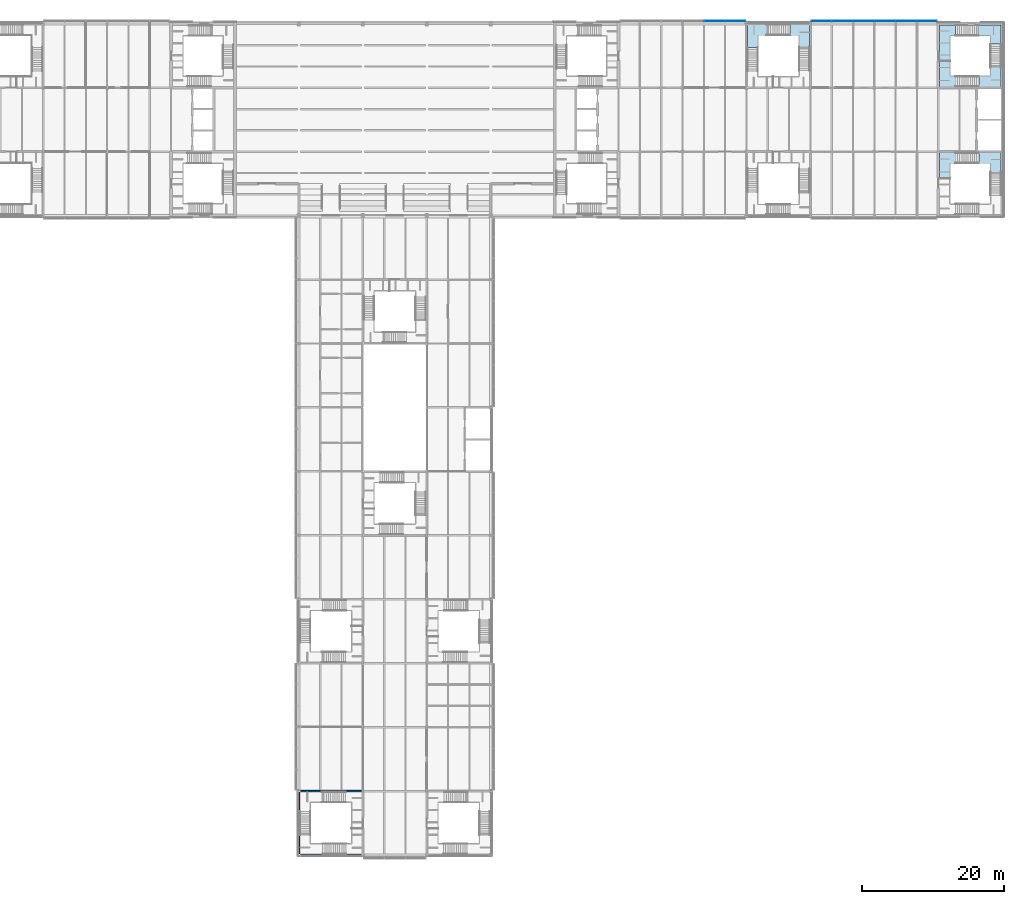
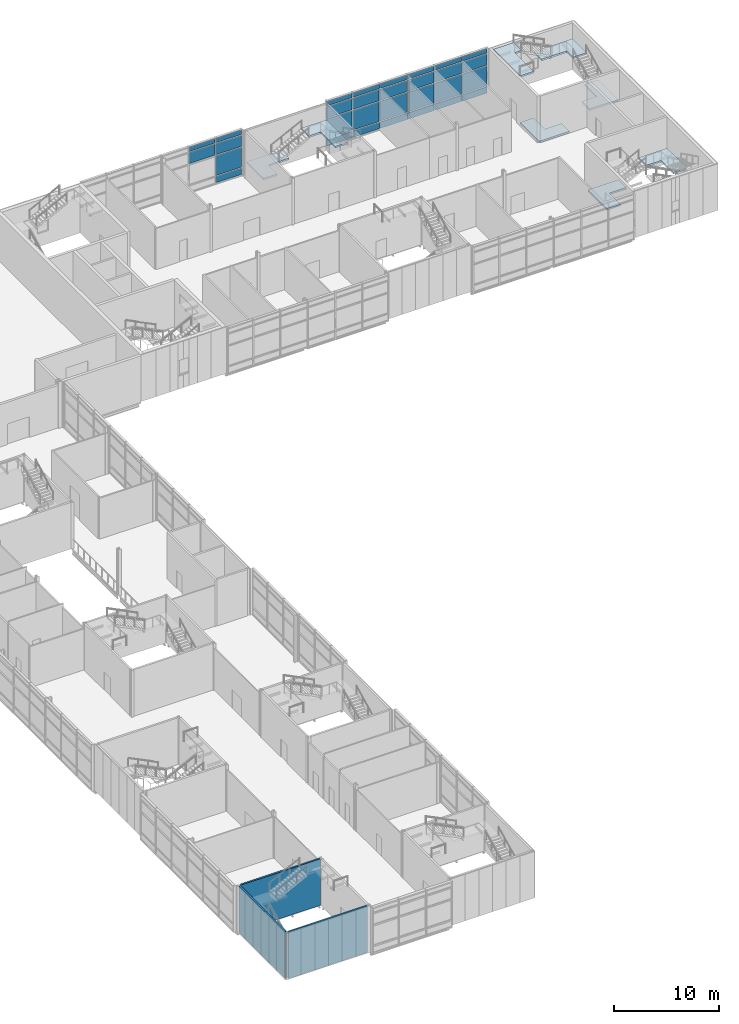
# One storey, part 32 of 52: 30 plates, 8 slabs, 3 walls, 5 elements without a shape of their own.
"""IFC4 building model written with IfcOpenShell, lengths in metres."""

from ifc_helpers import new_model, si_unit, direction, frame, frame_2d, origin, origin_2d, place, context, subcontext, project, spatial, polyline, rectangle, outline, extrude, material, layer, layer_set, type_object, element, aggregate, save


model = new_model("IFC4")

# Units and contexts
model_context = context("Model", 3, precision=1e-05, world=origin(), true_north=direction((0.0, 1.0)))
body_context = subcontext(model_context, "Body", "Model", "MODEL_VIEW")
ifc_project = project(units=[si_unit("LENGTHUNIT", "METRE"), si_unit("AREAUNIT", "SQUARE_METRE"), si_unit("VOLUMEUNIT", "CUBIC_METRE"), si_unit("PLANEANGLEUNIT", "RADIAN"), si_unit("MASSUNIT", "GRAM", prefix="KILO")], contexts=[model_context])

# Site, building, storey
site_placement = place(None, origin())
site = spatial("IfcSite", under=ifc_project, at=site_placement, CompositionType="ELEMENT")
building_placement = place(site_placement, origin())
building = spatial("IfcBuilding", under=site, at=building_placement, Name="Azimuth Sports and Learning Centre", CompositionType="ELEMENT")
storey_placement = place(building_placement, frame((0.0, 0.0, 16.199951171875)))
storey = spatial("IfcBuildingStorey", under=building, at=storey_placement, Name="L03", CompositionType="ELEMENT", Elevation=16.199951171875)

# Stair, slabs
ifc_material_1 = material(Name="Concrete C32/40", Category="concrete")
stair_type_1 = type_object("IfcStairType", Name="Square-well stair end core 5400 storey", PredefinedType="THREE_QUARTER_TURN_STAIR", material=ifc_material_1)
stair_1_placement = place(storey_placement, origin())
stair_1 = element("IfcStair", 1, at=stair_1_placement, inside=storey, type_object=stair_type_1, Name="Stair EW1 L03-L04", PredefinedType="THREE_QUARTER_TURN_STAIR")
ifc_material_2 = material(Name="Concrete C32/40", Category="concrete")
ifc_layer_1 = layer(ifc_material_2, 0.199951171875)
ifc_layer_set_1 = layer_set([ifc_layer_1], Name="Concrete C32/40")
slab_type = type_object("IfcSlabType", Name="Concrete stair landing", PredefinedType="LANDING", material=ifc_layer_set_1)
slab_1_placement = place(storey_placement, frame((0.0, 0.0, -0.199951171875)))
slab_1 = element("IfcSlab", 2, at=slab_1_placement, type_object=slab_type, Name="Stair EW1 L03 landing 1", PredefinedType="LANDING", context=body_context, shape_type="SweptSolid", body=[
    extrude(outline(polyline([(162.159912109375, 98.864990234375), (162.159912109375, 95.25), (163.659912109375, 95.25), (163.659912109375, 97.364990234375), (165.510009765625, 97.364990234375), (165.510009765625, 98.864990234375), (162.159912109375, 98.864990234375)])), origin(), (0.0, 0.0, 1.0), 0.199951171875),
])
slab_2_placement = place(storey_placement, frame((0.0, 0.0, 1.60009765625)))
slab_2 = element("IfcSlab", 3, at=slab_2_placement, type_object=slab_type, Name="Stair EW1 L03 landing 2", PredefinedType="LANDING", context=body_context, shape_type="SweptSolid", body=[
    extrude(outline(polyline([(169.340087890625, 97.364990234375), (169.340087890625, 95.06494140625), (170.840087890625, 95.06494140625), (170.840087890625, 98.864990234375), (167.709228515625, 98.864990234375), (167.709228515625, 97.364990234375), (169.340087890625, 97.364990234375)])), origin(), (0.0, 0.0, 1.0), 0.199951171875),
])
aggregate(stair_1, [slab_1, slab_2])

stair_2_placement = place(storey_placement, origin())
stair_2 = element("IfcStair", 4, at=stair_2_placement, inside=storey, type_object=stair_type_1, Name="Stair EW2 L03-L04", PredefinedType="THREE_QUARTER_TURN_STAIR")
slab_3_placement = place(storey_placement, frame((0.0, 0.0, -0.199951171875)))
slab_3 = element("IfcSlab", 5, at=slab_3_placement, type_object=slab_type, Name="Stair EW2 L03 landing 1", PredefinedType="LANDING", context=body_context, shape_type="SweptSolid", body=[
    extrude(outline(polyline([(165.510009765625, 109.635009765625), (163.659912109375, 109.635009765625), (163.659912109375, 111.75), (162.159912109375, 111.75), (162.159912109375, 108.135009765625), (165.510009765625, 108.135009765625), (165.510009765625, 109.635009765625)])), origin(), (0.0, 0.0, 1.0), 0.199951171875),
])
slab_4_placement = place(storey_placement, frame((0.0, 0.0, 1.60009765625)))
slab_4 = element("IfcSlab", 6, at=slab_4_placement, type_object=slab_type, Name="Stair EW2 L03 landing 2", PredefinedType="LANDING", context=body_context, shape_type="SweptSolid", body=[
    extrude(outline(polyline([(169.340087890625, 109.635009765625), (167.709228515625, 109.635009765625), (167.709228515625, 108.135009765625), (170.840087890625, 108.135009765625), (170.840087890625, 111.93505859375), (169.340087890625, 111.93505859375), (169.340087890625, 109.635009765625)])), origin(), (0.0, 0.0, 1.0), 0.199951171875),
])
slab_5_placement = place(storey_placement, frame((0.0, 0.0, 3.400146484375)))
slab_5 = element("IfcSlab", 7, at=slab_5_placement, type_object=slab_type, Name="Stair EW2 L03 landing 3", PredefinedType="LANDING", context=body_context, shape_type="SweptSolid", body=[
    extrude(outline(polyline([(169.340087890625, 115.340087890625), (169.340087890625, 114.13427734375), (170.840087890625, 114.13427734375), (170.840087890625, 116.840087890625), (166.590087890625, 116.840087890625), (166.590087890625, 115.340087890625), (169.340087890625, 115.340087890625)])), origin(), (0.0, 0.0, 1.0), 0.199951171875),
])
slab_6_placement = place(storey_placement, frame((0.0, 0.0, 5.199951171875)))
slab_6 = element("IfcSlab", 8, at=slab_6_placement, type_object=slab_type, Name="Stair EW2 L03 landing 4", PredefinedType="LANDING", context=body_context, shape_type="SweptSolid", body=[
    extrude(outline(polyline([(163.659912109375, 115.340087890625), (164.390625, 115.340087890625), (164.390625, 116.840087890625), (162.159912109375, 116.840087890625), (162.159912109375, 111.75), (163.659912109375, 111.75), (163.659912109375, 115.340087890625)])), origin(), (0.0, 0.0, 1.0), 0.2001953125),
])
aggregate(stair_2, [slab_3, slab_4, slab_5, slab_6])

ifc_material_3 = material(Name="Concrete C32/40", Category="concrete")
stair_type_2 = type_object("IfcStairType", Name="Square-well stair mid-wing cell 5400 storey", PredefinedType="THREE_QUARTER_TURN_STAIR", material=ifc_material_3)
stair_3_placement = place(storey_placement, origin())
stair_3 = element("IfcStair", 9, at=stair_3_placement, inside=storey, type_object=stair_type_2, Name="Stair EM2 L03-L04", PredefinedType="THREE_QUARTER_TURN_STAIR")
slab_7_placement = place(storey_placement, frame((0.0, 0.0, 1.60009765625)))
slab_7 = element("IfcSlab", 10, at=slab_7_placement, type_object=slab_type, Name="Stair EM2 L03 landing 2", PredefinedType="LANDING", context=body_context, shape_type="SweptSolid", body=[
    extrude(outline(polyline([(136.610107421875, 115.389892578125), (138.909912109375, 115.389892578125), (138.909912109375, 116.889892578125), (135.110107421875, 116.889892578125), (135.110107421875, 113.6591796875), (136.610107421875, 113.6591796875), (136.610107421875, 115.389892578125)])), origin(), (0.0, 0.0, 1.0), 0.199951171875),
])
slab_8_placement = place(storey_placement, frame((0.0, 0.0, 3.400146484375)))
slab_8 = element("IfcSlab", 11, at=slab_8_placement, type_object=slab_type, Name="Stair EM2 L03 landing 3", PredefinedType="LANDING", context=body_context, shape_type="SweptSolid", body=[
    extrude(outline(polyline([(142.389892578125, 115.389892578125), (142.389892578125, 112.639892578125), (143.889892578125, 112.639892578125), (143.889892578125, 116.889892578125), (141.109375, 116.889892578125), (141.109375, 115.389892578125), (142.389892578125, 115.389892578125)])), origin(), (0.0, 0.0, 1.0), 0.199951171875),
])
aggregate(stair_3, [slab_7, slab_8])

# Curtain wall, plates
ifc_material_4 = material(Name="Aluminium and glass", Category="aluminium")
curtain_wall_type = type_object("IfcCurtainWallType", Name="Curtain wall podium wing 240", PredefinedType="NOTDEFINED", material=ifc_material_4)
curtain_wall_1_placement = place(storey_placement, origin())
curtain_wall_1 = element("IfcCurtainWall", 12, at=curtain_wall_1_placement, inside=storey, type_object=curtain_wall_type, Name="Curtain wall CW03-011", PredefinedType="NOTDEFINED")
ifc_material_5 = material(Name="Insulated aluminium panel", Category="aluminium")
ifc_layer_2 = layer(ifc_material_5, 0.06005859375)
ifc_layer_set_2 = layer_set([ifc_layer_2], Name="Insulated aluminium panel")
plate_type_1 = type_object("IfcPlateType", Name="Spandrel panel 60 mm", PredefinedType="CURTAIN_PANEL", material=ifc_layer_set_2)
plate_1_placement = place(storey_placement, frame((160.405029296875, 117.419921875, 0.1201171875), z_axis=(0.0, 0.0, 1.0), x_axis=(-1.0, 0.0, 0.0)))
plate_1 = element("IfcPlate", 13, at=plate_1_placement, type_object=plate_type_1, Name="CW03-011 panel 1.1", PredefinedType="CURTAIN_PANEL", context=body_context, shape_type="SweptSolid", body=[
    extrude(rectangle(XDim=2.72998046875, YDim=0.06005859375, at=origin_2d()), origin(), (0.0, 0.0, 1.0), 0.719970703125),
])
plate_2_placement = place(storey_placement, frame((160.405029296875, 117.419921875, 4.760009765625), z_axis=(0.0, 0.0, 1.0), x_axis=(-1.0, 0.0, 0.0)))
plate_2 = element("IfcPlate", 14, at=plate_2_placement, type_object=plate_type_1, Name="CW03-011 panel 1.4", PredefinedType="CURTAIN_PANEL", context=body_context, shape_type="SweptSolid", body=[
    extrude(rectangle(XDim=2.72998046875, YDim=0.06005859375, at=origin_2d()), origin(), (0.0, 0.0, 1.0), 0.52001953125),
])
plate_3_placement = place(storey_placement, frame((157.5, 117.419921875, 0.1201171875), z_axis=(0.0, 0.0, 1.0), x_axis=(-1.0, 0.0, 0.0)))
plate_3 = element("IfcPlate", 15, at=plate_3_placement, type_object=plate_type_1, Name="CW03-011 panel 2.1", PredefinedType="CURTAIN_PANEL", context=body_context, shape_type="SweptSolid", body=[
    extrude(rectangle(XDim=2.919921875, YDim=0.06005859375, at=origin_2d()), origin(), (0.0, 0.0, 1.0), 0.719970703125),
])
plate_4_placement = place(storey_placement, frame((157.5, 117.419921875, 4.760009765625), z_axis=(0.0, 0.0, 1.0), x_axis=(-1.0, 0.0, 0.0)))
plate_4 = element("IfcPlate", 16, at=plate_4_placement, type_object=plate_type_1, Name="CW03-011 panel 2.4", PredefinedType="CURTAIN_PANEL", context=body_context, shape_type="SweptSolid", body=[
    extrude(rectangle(XDim=2.919921875, YDim=0.06005859375, at=origin_2d()), origin(), (0.0, 0.0, 1.0), 0.52001953125),
])
plate_5_placement = place(storey_placement, frame((154.5, 117.419921875, 0.1201171875), z_axis=(0.0, 0.0, 1.0), x_axis=(-1.0, 0.0, 0.0)))
plate_5 = element("IfcPlate", 17, at=plate_5_placement, type_object=plate_type_1, Name="CW03-011 panel 3.1", PredefinedType="CURTAIN_PANEL", context=body_context, shape_type="SweptSolid", body=[
    extrude(rectangle(XDim=2.919921875, YDim=0.06005859375, at=origin_2d()), origin(), (0.0, 0.0, 1.0), 0.719970703125),
])
plate_6_placement = place(storey_placement, frame((154.5, 117.419921875, 4.760009765625), z_axis=(0.0, 0.0, 1.0), x_axis=(-1.0, 0.0, 0.0)))
plate_6 = element("IfcPlate", 18, at=plate_6_placement, type_object=plate_type_1, Name="CW03-011 panel 3.4", PredefinedType="CURTAIN_PANEL", context=body_context, shape_type="SweptSolid", body=[
    extrude(rectangle(XDim=2.919921875, YDim=0.06005859375, at=origin_2d()), origin(), (0.0, 0.0, 1.0), 0.52001953125),
])
plate_7_placement = place(storey_placement, frame((151.5, 117.419921875, 0.1201171875), z_axis=(0.0, 0.0, 1.0), x_axis=(-1.0, 0.0, 0.0)))
plate_7 = element("IfcPlate", 19, at=plate_7_placement, type_object=plate_type_1, Name="CW03-011 panel 4.1", PredefinedType="CURTAIN_PANEL", context=body_context, shape_type="SweptSolid", body=[
    extrude(rectangle(XDim=2.919921875, YDim=0.06005859375, at=origin_2d()), origin(), (0.0, 0.0, 1.0), 0.719970703125),
])
plate_8_placement = place(storey_placement, frame((151.5, 117.419921875, 4.760009765625), z_axis=(0.0, 0.0, 1.0), x_axis=(-1.0, 0.0, 0.0)))
plate_8 = element("IfcPlate", 20, at=plate_8_placement, type_object=plate_type_1, Name="CW03-011 panel 4.4", PredefinedType="CURTAIN_PANEL", context=body_context, shape_type="SweptSolid", body=[
    extrude(rectangle(XDim=2.919921875, YDim=0.06005859375, at=origin_2d()), origin(), (0.0, 0.0, 1.0), 0.52001953125),
])
plate_9_placement = place(storey_placement, frame((148.5, 117.419921875, 0.1201171875), z_axis=(0.0, 0.0, 1.0), x_axis=(-1.0, 0.0, 0.0)))
plate_9 = element("IfcPlate", 21, at=plate_9_placement, type_object=plate_type_1, Name="CW03-011 panel 5.1", PredefinedType="CURTAIN_PANEL", context=body_context, shape_type="SweptSolid", body=[
    extrude(rectangle(XDim=2.919921875, YDim=0.06005859375, at=origin_2d()), origin(), (0.0, 0.0, 1.0), 0.719970703125),
])
plate_10_placement = place(storey_placement, frame((148.5, 117.419921875, 4.760009765625), z_axis=(0.0, 0.0, 1.0), x_axis=(-1.0, 0.0, 0.0)))
plate_10 = element("IfcPlate", 22, at=plate_10_placement, type_object=plate_type_1, Name="CW03-011 panel 5.4", PredefinedType="CURTAIN_PANEL", context=body_context, shape_type="SweptSolid", body=[
    extrude(rectangle(XDim=2.919921875, YDim=0.06005859375, at=origin_2d()), origin(), (0.0, 0.0, 1.0), 0.52001953125),
])
plate_11_placement = place(storey_placement, frame((145.570068359375, 117.419921875, 0.1201171875), z_axis=(0.0, 0.0, 1.0), x_axis=(-1.0, 0.0, 0.0)))
plate_11 = element("IfcPlate", 23, at=plate_11_placement, type_object=plate_type_1, Name="CW03-011 panel 6.1", PredefinedType="CURTAIN_PANEL", context=body_context, shape_type="SweptSolid", body=[
    extrude(rectangle(XDim=2.780029296875, YDim=0.06005859375, at=origin_2d()), origin(), (0.0, 0.0, 1.0), 0.719970703125),
])
plate_12_placement = place(storey_placement, frame((145.570068359375, 117.419921875, 4.760009765625), z_axis=(0.0, 0.0, 1.0), x_axis=(-1.0, 0.0, 0.0)))
plate_12 = element("IfcPlate", 24, at=plate_12_placement, type_object=plate_type_1, Name="CW03-011 panel 6.4", PredefinedType="CURTAIN_PANEL", context=body_context, shape_type="SweptSolid", body=[
    extrude(rectangle(XDim=2.780029296875, YDim=0.06005859375, at=origin_2d()), origin(), (0.0, 0.0, 1.0), 0.52001953125),
])

curtain_wall_2_placement = place(storey_placement, origin())
curtain_wall_2 = element("IfcCurtainWall", 25, at=curtain_wall_2_placement, inside=storey, type_object=curtain_wall_type, Name="Curtain wall CW03-012", PredefinedType="NOTDEFINED")
plate_13_placement = place(storey_placement, frame((133.429931640625, 117.419921875, 0.1201171875), z_axis=(0.0, 0.0, 1.0), x_axis=(-1.0, 0.0, 0.0)))
plate_13 = element("IfcPlate", 26, at=plate_13_placement, type_object=plate_type_1, Name="CW03-012 panel 1.1", PredefinedType="CURTAIN_PANEL", context=body_context, shape_type="SweptSolid", body=[
    extrude(rectangle(XDim=2.780029296875, YDim=0.06005859375, at=origin_2d()), origin(), (0.0, 0.0, 1.0), 0.719970703125),
])
plate_14_placement = place(storey_placement, frame((133.429931640625, 117.419921875, 4.760009765625), z_axis=(0.0, 0.0, 1.0), x_axis=(-1.0, 0.0, 0.0)))
plate_14 = element("IfcPlate", 27, at=plate_14_placement, type_object=plate_type_1, Name="CW03-012 panel 1.4", PredefinedType="CURTAIN_PANEL", context=body_context, shape_type="SweptSolid", body=[
    extrude(rectangle(XDim=2.780029296875, YDim=0.06005859375, at=origin_2d()), origin(), (0.0, 0.0, 1.0), 0.52001953125),
])
plate_15_placement = place(storey_placement, frame((130.5, 117.419921875, 4.760009765625), z_axis=(0.0, 0.0, 1.0), x_axis=(-1.0, 0.0, 0.0)))
plate_15 = element("IfcPlate", 28, at=plate_15_placement, type_object=plate_type_1, Name="CW03-012 panel 2.4", PredefinedType="CURTAIN_PANEL", context=body_context, shape_type="SweptSolid", body=[
    extrude(rectangle(XDim=2.919921875, YDim=0.06005859375, at=origin_2d()), origin(), (0.0, 0.0, 1.0), 0.52001953125),
])

# Plate
ifc_material_6 = material(Name="Glass", Category="glass")
ifc_layer_3 = layer(ifc_material_6, 0.0439453125)
ifc_layer_set_3 = layer_set([ifc_layer_3], Name="Glass")
plate_type_2 = type_object("IfcPlateType", Name="Vision glass 44 mm", PredefinedType="CURTAIN_PANEL", material=ifc_layer_set_3)
plate_16_placement = place(storey_placement, frame((160.405029296875, 117.419921875, 0.9599609375), z_axis=(0.0, 0.0, 1.0), x_axis=(-1.0, 0.0, 0.0)))
plate_16 = element("IfcPlate", 29, at=plate_16_placement, type_object=plate_type_2, Name="CW03-011 panel 1.2", PredefinedType="CURTAIN_PANEL", context=body_context, shape_type="SweptSolid", body=[
    extrude(rectangle(XDim=2.72998046875, YDim=0.0439453125, at=origin_2d()), origin(), (0.0, 0.0, 1.0), 2.280029296875),
])

plate_17_placement = place(storey_placement, frame((160.405029296875, 117.419921875, 3.35986328125), z_axis=(0.0, 0.0, 1.0), x_axis=(-1.0, 0.0, 0.0)))
plate_17 = element("IfcPlate", 30, at=plate_17_placement, type_object=plate_type_2, Name="CW03-011 panel 1.3", PredefinedType="CURTAIN_PANEL", context=body_context, shape_type="SweptSolid", body=[
    extrude(rectangle(XDim=2.72998046875, YDim=0.0439453125, at=origin_2d()), origin(), (0.0, 0.0, 1.0), 1.280029296875),
])

plate_18_placement = place(storey_placement, frame((157.5, 117.419921875, 0.9599609375), z_axis=(0.0, 0.0, 1.0), x_axis=(-1.0, 0.0, 0.0)))
plate_18 = element("IfcPlate", 31, at=plate_18_placement, type_object=plate_type_2, Name="CW03-011 panel 2.2", PredefinedType="CURTAIN_PANEL", context=body_context, shape_type="SweptSolid", body=[
    extrude(rectangle(XDim=2.919921875, YDim=0.0439453125, at=origin_2d()), origin(), (0.0, 0.0, 1.0), 2.280029296875),
])

plate_19_placement = place(storey_placement, frame((157.5, 117.419921875, 3.35986328125), z_axis=(0.0, 0.0, 1.0), x_axis=(-1.0, 0.0, 0.0)))
plate_19 = element("IfcPlate", 32, at=plate_19_placement, type_object=plate_type_2, Name="CW03-011 panel 2.3", PredefinedType="CURTAIN_PANEL", context=body_context, shape_type="SweptSolid", body=[
    extrude(rectangle(XDim=2.919921875, YDim=0.0439453125, at=origin_2d()), origin(), (0.0, 0.0, 1.0), 1.280029296875),
])

plate_20_placement = place(storey_placement, frame((154.5, 117.419921875, 0.9599609375), z_axis=(0.0, 0.0, 1.0), x_axis=(-1.0, 0.0, 0.0)))
plate_20 = element("IfcPlate", 33, at=plate_20_placement, type_object=plate_type_2, Name="CW03-011 panel 3.2", PredefinedType="CURTAIN_PANEL", context=body_context, shape_type="SweptSolid", body=[
    extrude(rectangle(XDim=2.919921875, YDim=0.0439453125, at=origin_2d()), origin(), (0.0, 0.0, 1.0), 2.280029296875),
])

plate_21_placement = place(storey_placement, frame((154.5, 117.419921875, 3.35986328125), z_axis=(0.0, 0.0, 1.0), x_axis=(-1.0, 0.0, 0.0)))
plate_21 = element("IfcPlate", 34, at=plate_21_placement, type_object=plate_type_2, Name="CW03-011 panel 3.3", PredefinedType="CURTAIN_PANEL", context=body_context, shape_type="SweptSolid", body=[
    extrude(rectangle(XDim=2.919921875, YDim=0.0439453125, at=origin_2d()), origin(), (0.0, 0.0, 1.0), 1.280029296875),
])

plate_22_placement = place(storey_placement, frame((151.5, 117.419921875, 0.9599609375), z_axis=(0.0, 0.0, 1.0), x_axis=(-1.0, 0.0, 0.0)))
plate_22 = element("IfcPlate", 35, at=plate_22_placement, type_object=plate_type_2, Name="CW03-011 panel 4.2", PredefinedType="CURTAIN_PANEL", context=body_context, shape_type="SweptSolid", body=[
    extrude(rectangle(XDim=2.919921875, YDim=0.0439453125, at=origin_2d()), origin(), (0.0, 0.0, 1.0), 2.280029296875),
])

plate_23_placement = place(storey_placement, frame((151.5, 117.419921875, 3.35986328125), z_axis=(0.0, 0.0, 1.0), x_axis=(-1.0, 0.0, 0.0)))
plate_23 = element("IfcPlate", 36, at=plate_23_placement, type_object=plate_type_2, Name="CW03-011 panel 4.3", PredefinedType="CURTAIN_PANEL", context=body_context, shape_type="SweptSolid", body=[
    extrude(rectangle(XDim=2.919921875, YDim=0.0439453125, at=origin_2d()), origin(), (0.0, 0.0, 1.0), 1.280029296875),
])

plate_24_placement = place(storey_placement, frame((148.5, 117.419921875, 0.9599609375), z_axis=(0.0, 0.0, 1.0), x_axis=(-1.0, 0.0, 0.0)))
plate_24 = element("IfcPlate", 37, at=plate_24_placement, type_object=plate_type_2, Name="CW03-011 panel 5.2", PredefinedType="CURTAIN_PANEL", context=body_context, shape_type="SweptSolid", body=[
    extrude(rectangle(XDim=2.919921875, YDim=0.0439453125, at=origin_2d()), origin(), (0.0, 0.0, 1.0), 2.280029296875),
])

plate_25_placement = place(storey_placement, frame((148.5, 117.419921875, 3.35986328125), z_axis=(0.0, 0.0, 1.0), x_axis=(-1.0, 0.0, 0.0)))
plate_25 = element("IfcPlate", 38, at=plate_25_placement, type_object=plate_type_2, Name="CW03-011 panel 5.3", PredefinedType="CURTAIN_PANEL", context=body_context, shape_type="SweptSolid", body=[
    extrude(rectangle(XDim=2.919921875, YDim=0.0439453125, at=origin_2d()), origin(), (0.0, 0.0, 1.0), 1.280029296875),
])

plate_26_placement = place(storey_placement, frame((145.570068359375, 117.419921875, 0.9599609375), z_axis=(0.0, 0.0, 1.0), x_axis=(-1.0, 0.0, 0.0)))
plate_26 = element("IfcPlate", 39, at=plate_26_placement, type_object=plate_type_2, Name="CW03-011 panel 6.2", PredefinedType="CURTAIN_PANEL", context=body_context, shape_type="SweptSolid", body=[
    extrude(rectangle(XDim=2.780029296875, YDim=0.0439453125, at=origin_2d()), origin(), (0.0, 0.0, 1.0), 2.280029296875),
])

plate_27_placement = place(storey_placement, frame((145.570068359375, 117.419921875, 3.35986328125), z_axis=(0.0, 0.0, 1.0), x_axis=(-1.0, 0.0, 0.0)))
plate_27 = element("IfcPlate", 40, at=plate_27_placement, type_object=plate_type_2, Name="CW03-011 panel 6.3", PredefinedType="CURTAIN_PANEL", context=body_context, shape_type="SweptSolid", body=[
    extrude(rectangle(XDim=2.780029296875, YDim=0.0439453125, at=origin_2d()), origin(), (0.0, 0.0, 1.0), 1.280029296875),
])

aggregate(curtain_wall_1, [plate_1, plate_16, plate_17, plate_2, plate_3, plate_18, plate_19, plate_4, plate_5, plate_20, plate_21, plate_6, plate_7, plate_22, plate_23, plate_8, plate_9, plate_24, plate_25, plate_10, plate_11, plate_26, plate_27, plate_12])

plate_28_placement = place(storey_placement, frame((133.429931640625, 117.419921875, 0.9599609375), z_axis=(0.0, 0.0, 1.0), x_axis=(-1.0, 0.0, 0.0)))
plate_28 = element("IfcPlate", 41, at=plate_28_placement, type_object=plate_type_2, Name="CW03-012 panel 1.2", PredefinedType="CURTAIN_PANEL", context=body_context, shape_type="SweptSolid", body=[
    extrude(rectangle(XDim=2.780029296875, YDim=0.0439453125, at=origin_2d()), origin(), (0.0, 0.0, 1.0), 2.280029296875),
])

plate_29_placement = place(storey_placement, frame((133.429931640625, 117.419921875, 3.35986328125), z_axis=(0.0, 0.0, 1.0), x_axis=(-1.0, 0.0, 0.0)))
plate_29 = element("IfcPlate", 42, at=plate_29_placement, type_object=plate_type_2, Name="CW03-012 panel 1.3", PredefinedType="CURTAIN_PANEL", context=body_context, shape_type="SweptSolid", body=[
    extrude(rectangle(XDim=2.780029296875, YDim=0.0439453125, at=origin_2d()), origin(), (0.0, 0.0, 1.0), 1.280029296875),
])

plate_30_placement = place(storey_placement, frame((130.5, 117.419921875, 3.35986328125), z_axis=(0.0, 0.0, 1.0), x_axis=(-1.0, 0.0, 0.0)))
plate_30 = element("IfcPlate", 43, at=plate_30_placement, type_object=plate_type_2, Name="CW03-012 panel 2.3", PredefinedType="CURTAIN_PANEL", context=body_context, shape_type="SweptSolid", body=[
    extrude(rectangle(XDim=2.919921875, YDim=0.0439453125, at=origin_2d()), origin(), (0.0, 0.0, 1.0), 1.280029296875),
])

aggregate(curtain_wall_2, [plate_13, plate_28, plate_29, plate_14, plate_30, plate_15])

# Walls
ifc_material_7 = material(Name="Concrete C40/50", Category="concrete")
ifc_layer_4 = layer(ifc_material_7, 0.199951171875)
ifc_layer_set_4 = layer_set([ifc_layer_4], Name="Concrete C40/50")
wall_type_1 = type_object("IfcWallType", Name="RC cell wall 200 EI 120", PredefinedType="SHEAR", material=ifc_layer_set_4)
wall_1_placement = place(storey_placement, frame((72.179931640625, 9.0, 0.0), z_axis=(0.0, 0.0, 1.0), x_axis=(1.0, 0.0, 0.0)))
element("IfcWall", 44, at=wall_1_placement, inside=storey, type_object=wall_type_1, Name="CE-ST1-N-L03", PredefinedType="SHEAR", context=body_context, shape_type="SweptSolid", body=[
    extrude(rectangle(XDim=8.670166015625, YDim=0.199951171875, at=frame_2d((4.3349609375, 0.0))), origin(), (0.0, 0.0, 1.0), 5.400146484375),
])
ifc_material_8 = material(Name="Concrete C40/50", Category="concrete")
ifc_layer_5 = layer(ifc_material_8, 0.199951171875)
ifc_layer_set_5 = layer_set([ifc_layer_5], Name="Concrete C40/50")
wall_type_2 = type_object("IfcWallType", Name="RC external cell wall 200 EI 120", PredefinedType="SHEAR", material=ifc_layer_set_5)
wall_2_placement = place(storey_placement, frame((72.179931640625, 0.0, 0.0), z_axis=(0.0, 0.0, 1.0), x_axis=(1.0, 0.0, 0.0)))
element("IfcWall", 45, at=wall_2_placement, inside=storey, type_object=wall_type_2, Name="CE-ST1-S-L03", PredefinedType="SHEAR", context=body_context, shape_type="SweptSolid", body=[
    extrude(rectangle(XDim=8.64013671875, YDim=0.199951171875, at=frame_2d((4.320068359375, 0.0))), origin(), (0.0, 0.0, 1.0), 5.400146484375),
])
wall_3_placement = place(storey_placement, frame((72.0, 0.14990234375, 0.0), z_axis=(0.0, 0.0, 1.0), x_axis=(0.0, 1.0, 0.0)))
element("IfcWall", 46, at=wall_3_placement, inside=storey, type_object=wall_type_2, Name="CE-ST1-W-L03", PredefinedType="SHEAR", context=body_context, shape_type="SweptSolid", body=[
    extrude(rectangle(XDim=8.7001953125, YDim=0.199951171875, at=frame_2d((4.35009765625, 0.0))), origin(), (0.0, 0.0, 1.0), 5.400146484375),
])

save(model, "model.ifc")
